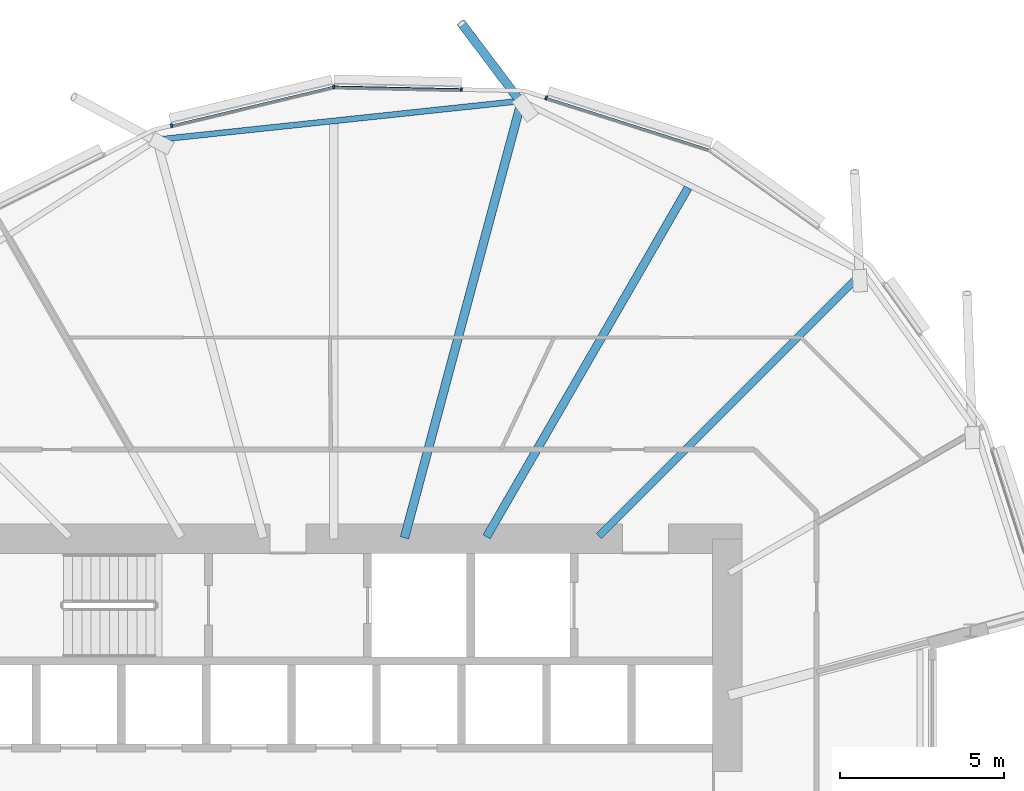
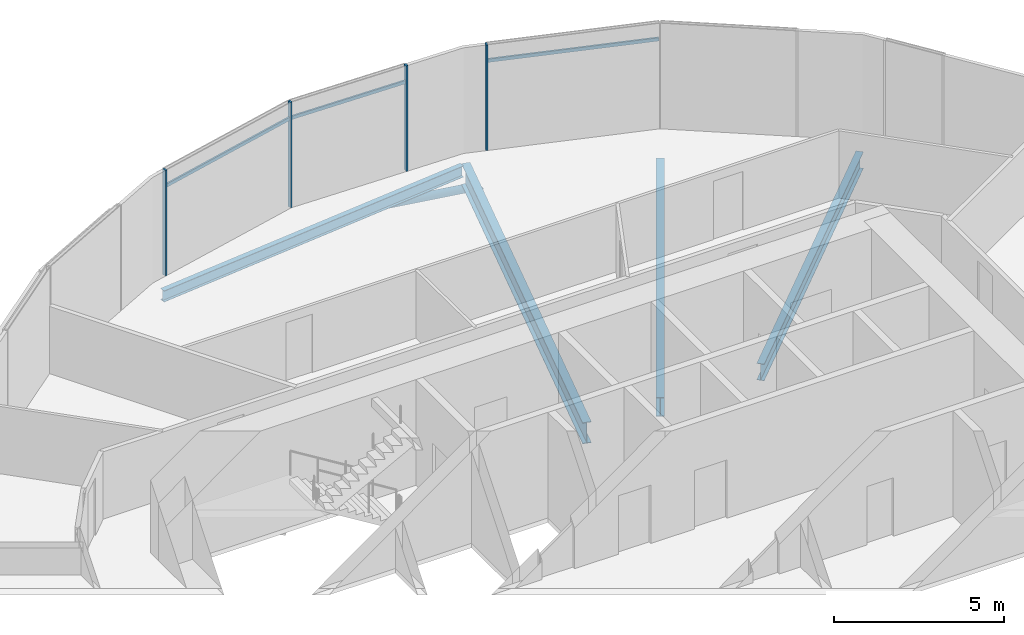
# One storey, part 18 of 37: 8 members, 4 beams, 1 element without a shape of its own.
"""IFC4 building model written with IfcOpenShell, lengths in metres."""

from ifc_helpers import new_model, si_unit, direction, frame, origin, origin_2d, place, context, subcontext, project, spatial, rectangle, hollow_circle, i_section, extrude, clip, halfspace, material, material_profile, profile_set, type_object, element, aggregate, save


model = new_model("IFC4")

# Units and contexts
model_context = context("Model", 3, precision=1e-05, world=origin(), true_north=direction((0.0, 1.0)))
body_context = subcontext(model_context, "Body", "Model", "MODEL_VIEW")
ifc_project = project(units=[si_unit("LENGTHUNIT", "METRE"), si_unit("AREAUNIT", "SQUARE_METRE"), si_unit("VOLUMEUNIT", "CUBIC_METRE"), si_unit("PLANEANGLEUNIT", "RADIAN"), si_unit("MASSUNIT", "GRAM", prefix="KILO")], contexts=[model_context])

# Site, building, storey
site_placement = place(None, origin())
site = spatial("IfcSite", under=ifc_project, at=site_placement, CompositionType="ELEMENT")
building_placement = place(site_placement, origin())
building = spatial("IfcBuilding", under=site, at=building_placement, Name="Rimbun Link Towers", CompositionType="ELEMENT")
storey_placement = place(building_placement, frame((0.0, 0.0, 60.39990234375)))
storey = spatial("IfcBuildingStorey", under=building, at=storey_placement, Name="L14", CompositionType="ELEMENT", Elevation=60.39990234375)

# Curtain wall, members
ifc_material_1 = material(Name="Aluminium 6063-T6 and low-iron glass", Category="aluminium")
curtain_wall_type = type_object("IfcCurtainWallType", Name="CW1 unitised vision wall", PredefinedType="NOTDEFINED", material=ifc_material_1)
curtain_wall_placement = place(storey_placement, origin())
curtain_wall = element("IfcCurtainWall", 1, at=curtain_wall_placement, inside=storey, type_object=curtain_wall_type, Name="CW1 L14 T2", PredefinedType="NOTDEFINED")
ifc_material_2 = material(Name="Aluminium 6063-T6", Category="aluminium")
ifc_material_profile_1 = material_profile(ifc_material_2, rectangle(XDim=0.1201171875, YDim=0.06005859375, at=origin_2d()), Name="MULLION 60X120")
ifc_profile_set_1 = profile_set([ifc_material_profile_1], Name="Aluminium 6063-T6")
member_type_1 = type_object("IfcMemberType", Name="CW1 mullion 60X120", PredefinedType="MULLION", material=ifc_profile_set_1)
member_1_placement = place(storey_placement, frame((38.22509765625, 21.453369140625, 0.0), z_axis=(0.0, 0.0, 1.0), x_axis=(0.303073433186, 0.952967205153, 0.0)))
member_1 = element("IfcMember", 2, at=member_1_placement, type_object=member_type_1, Name="CW1 mullion", PredefinedType="MULLION", context=body_context, shape_type="SweptSolid", body=[
    extrude(rectangle(XDim=0.1201171875, YDim=0.06005859375, at=origin_2d()), origin(), (0.0, 0.0, 1.0), 3.800048828125),
])
member_2_placement = place(storey_placement, frame((31.74365234375, 21.7900390625, 0.0), z_axis=(0.0, 0.0, 1.0), x_axis=(-0.106639525927, 0.994297747916, 0.0)))
member_2 = element("IfcMember", 3, at=member_2_placement, type_object=member_type_1, Name="CW1 mullion", PredefinedType="MULLION", context=body_context, shape_type="SweptSolid", body=[
    extrude(rectangle(XDim=0.1201171875, YDim=0.06005859375, at=origin_2d()), origin(), (0.0, 0.0, 1.0), 3.800048828125),
])
member_3_placement = place(storey_placement, frame((35.6416015625, 21.708251953125, 0.0), z_axis=(0.0, 0.0, 1.0), x_axis=(0.02106649948, 0.999778076675, 0.0)))
member_3 = element("IfcMember", 4, at=member_3_placement, type_object=member_type_1, Name="CW1 mullion", PredefinedType="MULLION", context=body_context, shape_type="SweptSolid", body=[
    extrude(rectangle(XDim=0.1201171875, YDim=0.06005859375, at=origin_2d()), origin(), (0.0, 0.0, 1.0), 3.800048828125),
])
member_4_placement = place(storey_placement, frame((26.799072265625, 20.60791015625, 0.0), z_axis=(0.0, 0.0, 1.0), x_axis=(-0.232603182737, 0.972571724543, 0.0)))
member_4 = element("IfcMember", 5, at=member_4_placement, type_object=member_type_1, Name="CW1 mullion", PredefinedType="MULLION", context=body_context, shape_type="SweptSolid", body=[
    extrude(rectangle(XDim=0.1201171875, YDim=0.06005859375, at=origin_2d()), origin(), (0.0, 0.0, 1.0), 3.800048828125),
])
ifc_material_3 = material(Name="Aluminium 6063-T6", Category="aluminium")
ifc_material_profile_2 = material_profile(ifc_material_3, rectangle(XDim=0.06005859375, YDim=0.1201171875, at=origin_2d()), Name="TRANSOM 60X120")
ifc_profile_set_2 = profile_set([ifc_material_profile_2], Name="Aluminium 6063-T6")
member_type_2 = type_object("IfcMemberType", Name="CW1 transom 60X120", PredefinedType="USERDEFINED", material=ifc_profile_set_2)
member_5_placement = place(storey_placement, frame((38.253173828125, 21.4423828125, 3.2001953125), z_axis=(0.95296300276, -0.303086646639, 0.0), x_axis=(0.303086646639, 0.95296300276, 0.0)))
member_5 = element("IfcMember", 6, at=member_5_placement, type_object=member_type_2, Name="CW1 transom", ObjectType="TRANSOM", PredefinedType="USERDEFINED", context=body_context, shape_type="SweptSolid", body=[
    extrude(rectangle(XDim=0.06005859375, YDim=0.1201171875, at=origin_2d()), origin(), (0.0, 0.0, 1.0), 5.16748046875),
])
member_6_placement = place(storey_placement, frame((31.78125, 21.78759765625, 3.2001953125), z_axis=(0.999778862049, -0.021029193988, 0.0), x_axis=(0.021029193988, 0.999778862049, 0.0)))
member_6 = element("IfcMember", 7, at=member_6_placement, type_object=member_type_2, Name="CW1 transom", ObjectType="TRANSOM", PredefinedType="USERDEFINED", context=body_context, shape_type="SweptSolid", body=[
    extrude(rectangle(XDim=0.06005859375, YDim=0.1201171875, at=origin_2d()), origin(), (0.0, 0.0, 1.0), 3.8310546875),
])
member_7_placement = place(storey_placement, frame((26.82861328125, 20.613037109375, 3.2001953125), z_axis=(0.972573865596, 0.23259423028, 0.0), x_axis=(-0.23259423028, 0.972573865596, 0.0)))
member_7 = element("IfcMember", 8, at=member_7_placement, type_object=member_type_2, Name="CW1 transom", ObjectType="TRANSOM", PredefinedType="USERDEFINED", context=body_context, shape_type="SweptSolid", body=[
    extrude(rectangle(XDim=0.06005859375, YDim=0.1201171875, at=origin_2d()), origin(), (0.0, 0.0, 1.0), 5.016357421875),
])
aggregate(curtain_wall, [member_1, member_2, member_3, member_4, member_5, member_6, member_7])

# Member
ifc_material_4 = material(Name="Steel S355J2H", Category="steel")
ifc_material_profile_3 = material_profile(ifc_material_4, hollow_circle(Radius=0.136474609375, WallThickness=0.012451171875, at=origin_2d()), Name="CHS 273x12.5")
ifc_profile_set_3 = profile_set([ifc_material_profile_3], Name="Steel S355J2H")
member_type_3 = type_object("IfcMemberType", Name="Floor edge link CHS 273x12.5", PredefinedType="BRACE", material=ifc_profile_set_3)
member_8_placement = place(storey_placement, frame((37.46044921875, 21.311279296875, -1.044677734375), z_axis=(-0.539000836401, 0.715086460814, -0.445117346235), x_axis=(-0.798557925052, -0.601917968112, 0.0)))
element("IfcMember", 9, at=member_8_placement, inside=storey, type_object=member_type_3, Name="Floor edge link T2 L14 02", PredefinedType="BRACE", context=body_context, shape_type="Clipping", body=[
    clip(extrude(hollow_circle(Radius=0.136474609375, WallThickness=0.012451171875, at=origin_2d()), frame((0.0, 0.0, -0.571533203125)), (0.0, 0.0, 1.0), 3.95751953125), halfspace(frame((0.0, 0.0, -0.27099609375), z_axis=(0.0, 0.895472248638, -0.445117346235)), False)),
])

# Beams
ifc_material_5 = material(Name="Steel S355J2", Category="steel")
ifc_material_profile_4 = material_profile(ifc_material_5, i_section(OverallWidth=0.177978515625, OverallDepth=0.406494140625, WebThickness=0.0078125, FlangeThickness=0.0126953125, at=origin_2d()), Name="UB 406x178x60")
ifc_profile_set_4 = profile_set([ifc_material_profile_4], Name="Steel S355J2")
beam_type_1 = type_object("IfcBeamType", Name="UB 406x178x60", PredefinedType="BEAM", material=ifc_profile_set_4)
beam_1_placement = place(storey_placement, frame((37.330078125, 21.344482421875, -0.363037109375), z_axis=(-0.994381754429, -0.105853325211, 0.0), x_axis=(0.105853325211, -0.994381754429, 0.0)))
element("IfcBeam", 10, at=beam_1_placement, inside=storey, type_object=beam_type_1, Name="Edge beam T2 L14 02-04", PredefinedType="BEAM", context=body_context, shape_type="SweptSolid", body=[
    extrude(i_section(OverallWidth=0.177978515625, OverallDepth=0.406494140625, WebThickness=0.0078125, FlangeThickness=0.0126953125, at=origin_2d()), origin(), (0.0, 0.0, 1.0), 10.91845703125),
])
ifc_material_6 = material(Name="Steel S355J2", Category="steel")
ifc_material_profile_5 = material_profile(ifc_material_6, i_section(OverallWidth=0.2275390625, OverallDepth=0.6025390625, WebThickness=0.010498046875, FlangeThickness=0.014892578125, at=origin_2d()), Name="UB 610x229x101")
ifc_profile_set_5 = profile_set([ifc_material_profile_5], Name="Steel S355J2")
beam_type_2 = type_object("IfcBeamType", Name="UB 610x229x101", PredefinedType="BEAM", material=ifc_profile_set_5)
beam_2_placement = place(storey_placement, frame((39.831298828125, 8.081298828125, -0.461181640625), z_axis=(0.707106781187, 0.707106781187, 0.0), x_axis=(-0.707106781187, 0.707106781187, 0.0)))
element("IfcBeam", 11, at=beam_2_placement, inside=storey, type_object=beam_type_2, Name="Radial beam T2 L14 00", PredefinedType="BEAM", context=body_context, shape_type="SweptSolid", body=[
    extrude(i_section(OverallWidth=0.2275390625, OverallDepth=0.6025390625, WebThickness=0.010498046875, FlangeThickness=0.014892578125, at=origin_2d()), origin(), (0.0, 0.0, 1.0), 11.2978515625),
])
ifc_material_7 = material(Name="Steel S355J2", Category="steel")
ifc_material_profile_6 = material_profile(ifc_material_7, i_section(OverallWidth=0.253662109375, OverallDepth=0.68359375, WebThickness=0.012451171875, FlangeThickness=0.01904296875, at=origin_2d()), Name="UB 686x254x140")
ifc_profile_set_6 = profile_set([ifc_material_profile_6], Name="Steel S355J2")
beam_type_3 = type_object("IfcBeamType", Name="UB 686x254x140", PredefinedType="BEAM", material=ifc_profile_set_6)
beam_3_placement = place(storey_placement, frame((36.406005859375, 8.064208984375, -0.501708984375), z_axis=(0.499994660107, 0.866028486751, 0.0), x_axis=(-0.866028486751, 0.499994660107, 0.0)))
element("IfcBeam", 12, at=beam_3_placement, inside=storey, type_object=beam_type_3, Name="Radial beam T2 L14 01", PredefinedType="BEAM", context=body_context, shape_type="SweptSolid", body=[
    extrude(i_section(OverallWidth=0.253662109375, OverallDepth=0.68359375, WebThickness=0.012451171875, FlangeThickness=0.01904296875, at=origin_2d()), origin(), (0.0, 0.0, 1.0), 12.292724609375),
])
ifc_material_8 = material(Name="Steel S355J2", Category="steel")
ifc_material_profile_7 = material_profile(ifc_material_8, i_section(OverallWidth=0.2666015625, OverallDepth=0.76220703125, WebThickness=0.014404296875, FlangeThickness=0.021484375, at=origin_2d()), Name="UB 762x267x173")
ifc_profile_set_7 = profile_set([ifc_material_profile_7], Name="Steel S355J2")
beam_type_4 = type_object("IfcBeamType", Name="UB 762x267x173", PredefinedType="BEAM", material=ifc_profile_set_7)
beam_4_placement = place(storey_placement, frame((33.903076171875, 8.035400390625, -0.541015625), z_axis=(0.258825730822, 0.965924034831, 0.0), x_axis=(-0.965924034831, 0.258825730822, 0.0)))
element("IfcBeam", 13, at=beam_4_placement, inside=storey, type_object=beam_type_4, Name="Radial beam T2 L14 02", PredefinedType="BEAM", context=body_context, shape_type="SweptSolid", body=[
    extrude(i_section(OverallWidth=0.2666015625, OverallDepth=0.76220703125, WebThickness=0.014404296875, FlangeThickness=0.021484375, at=origin_2d()), origin(), (0.0, 0.0, 1.0), 13.794189453125),
])

save(model, "model.ifc")
